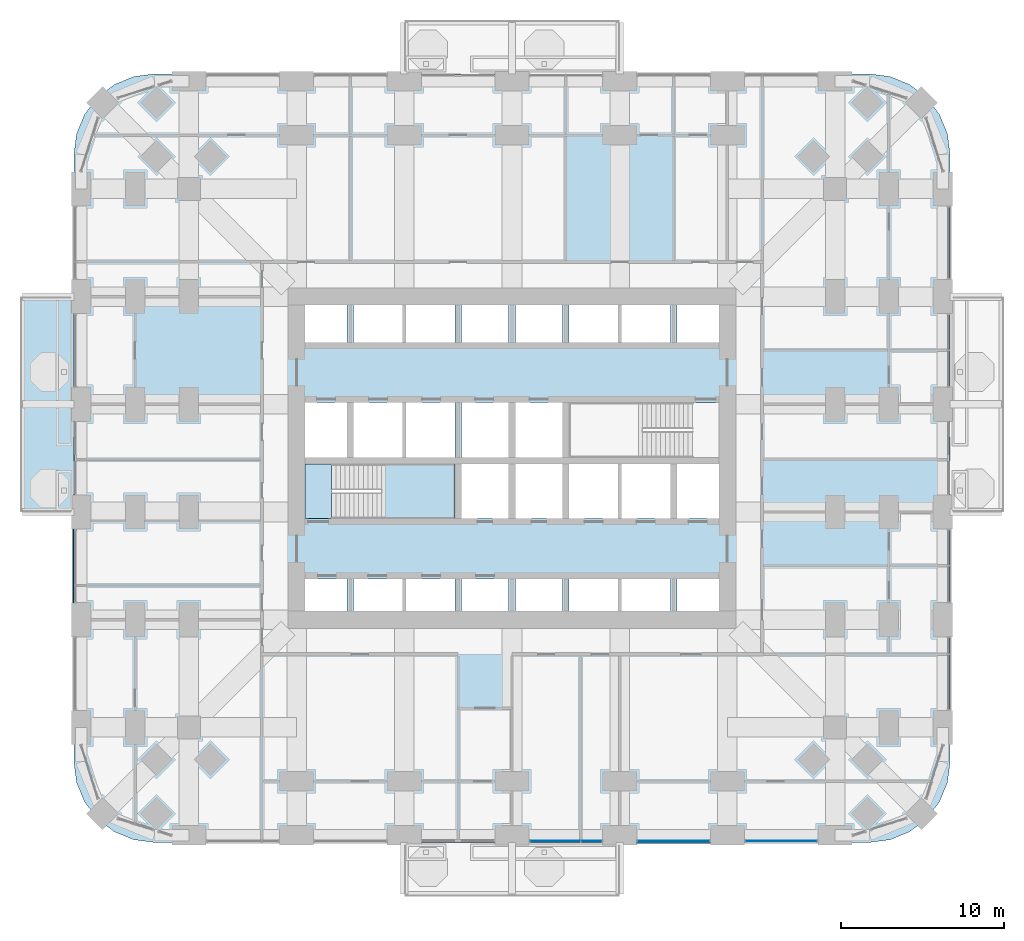
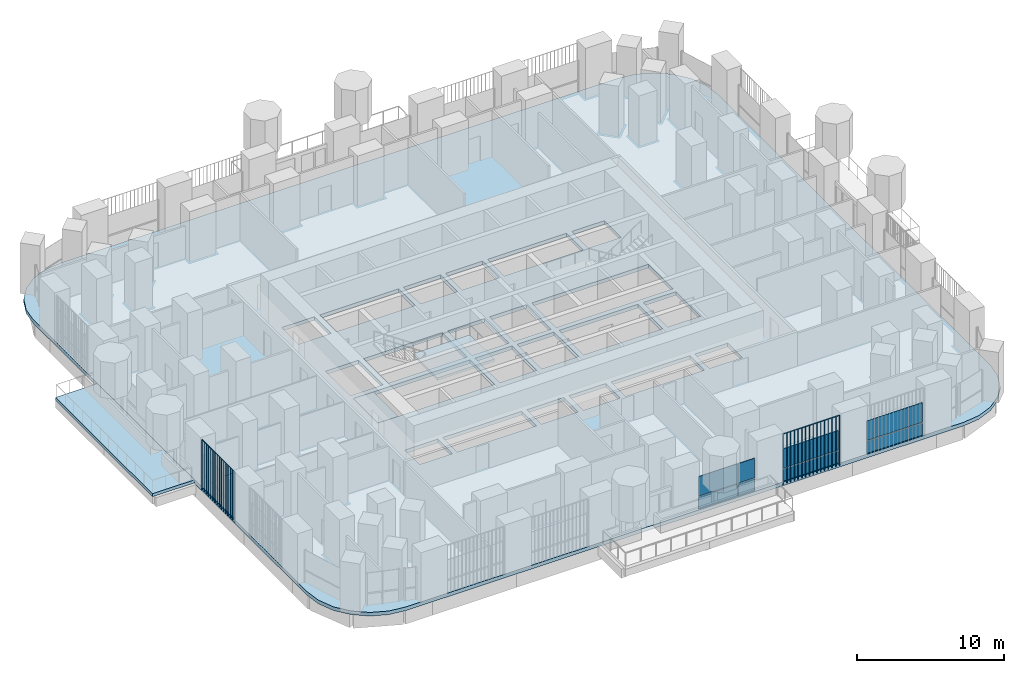
# One storey, part 12 of 26: 10 plates, 4 slabs, 4 elements without a shape of their own.
"""IFC4 building model written with IfcOpenShell, lengths in metres."""

from ifc_helpers import new_model, si_unit, direction, frame, origin, origin_2d, place, context, subcontext, project, spatial, polyline, rectangle, outline, extrude, material, layer, layer_set, type_object, element, aggregate, save


model = new_model("IFC4")

# Units and contexts
model_context = context("Model", 3, precision=1e-05, world=origin(), true_north=direction((0.0, 1.0)))
body_context = subcontext(model_context, "Body", "Model", "MODEL_VIEW")
ifc_project = project(units=[si_unit("LENGTHUNIT", "METRE"), si_unit("AREAUNIT", "SQUARE_METRE"), si_unit("VOLUMEUNIT", "CUBIC_METRE"), si_unit("PLANEANGLEUNIT", "RADIAN"), si_unit("MASSUNIT", "GRAM", prefix="KILO")], contexts=[model_context])

# Site, building, storey
site_placement = place(None, origin())
site = spatial("IfcSite", under=ifc_project, at=site_placement, CompositionType="ELEMENT")
building_placement = place(site_placement, origin())
building = spatial("IfcBuilding", under=site, at=building_placement, Name="Cobogo Forest Laboratory Tower", CompositionType="ELEMENT")
storey_placement = place(building_placement, frame((0.0, 0.0, 50.699951171875)))
storey = spatial("IfcBuildingStorey", under=building, at=storey_placement, Name="L11", CompositionType="ELEMENT", Elevation=50.699951171875)

# Slabs
ifc_material_1 = material(Name="Concrete HA-40 (C40/50)", Category="concrete")
ifc_layer_1 = layer(ifc_material_1, 0.25)
ifc_layer_set_1 = layer_set([ifc_layer_1], Name="Balcony slab 250")
slab_type_1 = type_object("IfcSlabType", Name="Balcony slab 250", PredefinedType="FLOOR", material=ifc_layer_set_1)
slab_1_placement = place(storey_placement, frame((0.0, 0.0, -0.25)))
element("IfcSlab", 1, at=slab_1_placement, inside=storey, type_object=slab_type_1, Name="Balcony BAL-W1 L11", PredefinedType="FLOOR", context=body_context, shape_type="SweptSolid", body=[
    extrude(outline(polyline([(-3.75, 19.800048828125), (-0.449951171875, 19.800048828125), (-0.449951171875, 33.0), (-3.75, 33.0), (-3.75, 19.800048828125)])), origin(), (0.0, 0.0, 1.0), 0.25),
])
ifc_layer_2 = layer(ifc_material_1, 0.300048828125)
ifc_layer_set_2 = layer_set([ifc_layer_2], Name="Floor slab 300")
slab_type_2 = type_object("IfcSlabType", Name="Floor slab 300", PredefinedType="FLOOR", material=ifc_layer_set_2)
slab_2_placement = place(storey_placement, frame((0.0, 0.0, -0.300048828125)))
element("IfcSlab", 2, at=slab_2_placement, inside=storey, type_object=slab_type_2, Name="L11 floor slab", PredefinedType="FLOOR", context=body_context, shape_type="SweptSolid", body=[
    extrude(outline(polyline([(48.300048828125, -0.449951171875), (49.5810546875, -0.28125), (50.77490234375, 0.213134765625), (51.80029296875, 0.999755859375), (52.5869140625, 2.02490234375), (53.081298828125, 3.21875), (53.25, 4.5), (53.25, 41.699951171875), (53.081298828125, 42.981201171875), (52.5869140625, 44.175048828125), (51.80029296875, 45.2001953125), (50.77490234375, 45.98681640625), (49.5810546875, 46.4814453125), (48.300048828125, 46.64990234375), (4.5, 46.64990234375), (3.21875, 46.4814453125), (2.02490234375, 45.98681640625), (0.999755859375, 45.2001953125), (0.213134765625, 44.175048828125), (-0.28125, 42.981201171875), (-0.449951171875, 41.699951171875), (-0.449951171875, 4.5), (-0.28125, 3.21875), (0.213134765625, 2.02490234375), (0.999755859375, 0.999755859375), (2.02490234375, 0.213134765625), (3.21875, -0.28125), (4.5, -0.449951171875), (48.300048828125, -0.449951171875)]), holes=[polyline([(16.300048828125, 13.72509765625), (13.72509765625, 13.72509765625), (13.72509765625, 15.699951171875), (16.300048828125, 15.699951171875), (16.300048828125, 13.72509765625)]), polyline([(22.89990234375, 15.699951171875), (22.89990234375, 13.72509765625), (16.699951171875, 13.72509765625), (16.699951171875, 15.699951171875), (22.89990234375, 15.699951171875)]), polyline([(23.300048828125, 13.72509765625), (23.300048828125, 15.699951171875), (26.199951171875, 15.699951171875), (26.199951171875, 13.72509765625), (23.300048828125, 13.72509765625)]), polyline([(29.5, 13.72509765625), (26.60009765625, 13.72509765625), (26.60009765625, 15.699951171875), (29.5, 15.699951171875), (29.5, 13.72509765625)]), polyline([(36.10009765625, 15.699951171875), (36.10009765625, 13.72509765625), (29.89990234375, 13.72509765625), (29.89990234375, 15.699951171875), (36.10009765625, 15.699951171875)]), polyline([(36.5, 13.72509765625), (36.5, 15.699951171875), (39.074951171875, 15.699951171875), (39.074951171875, 13.72509765625), (36.5, 13.72509765625)]), polyline([(13.72509765625, 19.39990234375), (13.72509765625, 22.75), (22.89990234375, 22.75), (22.89990234375, 19.39990234375), (13.72509765625, 19.39990234375)]), polyline([(23.300048828125, 19.39990234375), (23.300048828125, 22.75), (26.199951171875, 22.75), (26.199951171875, 19.39990234375), (23.300048828125, 19.39990234375)]), polyline([(26.60009765625, 19.39990234375), (26.60009765625, 22.75), (29.5, 22.75), (29.5, 19.39990234375), (26.60009765625, 19.39990234375)]), polyline([(36.10009765625, 22.75), (36.10009765625, 19.39990234375), (29.89990234375, 19.39990234375), (29.89990234375, 22.75), (36.10009765625, 22.75)]), polyline([(39.074951171875, 19.39990234375), (36.5, 19.39990234375), (36.5, 22.75), (39.074951171875, 22.75), (39.074951171875, 19.39990234375)]), polyline([(13.72509765625, 23.14990234375), (13.72509765625, 26.5), (16.300048828125, 26.5), (16.300048828125, 23.14990234375), (13.72509765625, 23.14990234375)]), polyline([(22.89990234375, 26.5), (22.89990234375, 23.14990234375), (16.699951171875, 23.14990234375), (16.699951171875, 26.5), (22.89990234375, 26.5)]), polyline([(23.300048828125, 23.14990234375), (23.300048828125, 26.5), (26.199951171875, 26.5), (26.199951171875, 23.14990234375), (23.300048828125, 23.14990234375)]), polyline([(26.60009765625, 23.14990234375), (26.60009765625, 26.5), (29.5, 26.5), (29.5, 23.14990234375), (26.60009765625, 23.14990234375)]), polyline([(29.89990234375, 23.14990234375), (29.89990234375, 26.5), (39.074951171875, 26.5), (39.074951171875, 23.14990234375), (29.89990234375, 23.14990234375)]), polyline([(13.72509765625, 30.199951171875), (13.72509765625, 32.47509765625), (16.300048828125, 32.47509765625), (16.300048828125, 30.199951171875), (13.72509765625, 30.199951171875)]), polyline([(22.89990234375, 32.47509765625), (22.89990234375, 30.199951171875), (16.699951171875, 30.199951171875), (16.699951171875, 32.47509765625), (22.89990234375, 32.47509765625)]), polyline([(23.300048828125, 30.199951171875), (23.300048828125, 32.47509765625), (26.199951171875, 32.47509765625), (26.199951171875, 30.199951171875), (23.300048828125, 30.199951171875)]), polyline([(26.60009765625, 30.199951171875), (26.60009765625, 32.47509765625), (29.5, 32.47509765625), (29.5, 30.199951171875), (26.60009765625, 30.199951171875)]), polyline([(36.10009765625, 32.47509765625), (36.10009765625, 30.199951171875), (29.89990234375, 30.199951171875), (29.89990234375, 32.47509765625), (36.10009765625, 32.47509765625)]), polyline([(36.5, 30.199951171875), (36.5, 32.47509765625), (39.074951171875, 32.47509765625), (39.074951171875, 30.199951171875), (36.5, 30.199951171875)])]), origin(), (0.0, 0.0, 1.0), 0.300048828125),
])

# Curtain wall, plates
ifc_material_2 = material(Name="Aluminium curtain wall", Category="aluminium")
curtain_wall_type = type_object("IfcCurtainWallType", Name="CW-1 unitised curtain wall, clear glazing, laboratory floors zones A and B", PredefinedType="USERDEFINED", material=ifc_material_2)
curtain_wall_1_placement = place(storey_placement, origin())
curtain_wall_1 = element("IfcCurtainWall", 3, at=curtain_wall_1_placement, inside=storey, type_object=curtain_wall_type, Name="Curtain wall 04 L11", ObjectType="UNITISED CURTAIN WALL", PredefinedType="USERDEFINED")
ifc_material_3 = material(Name="Clear insulated glass", Category="glass")
ifc_layer_3 = layer(ifc_material_3, 0.028076171875)
ifc_layer_set_3 = layer_set([ifc_layer_3], Name="GP-1 clear insulated glass unit 28")
plate_type_1 = type_object("IfcPlateType", Name="GP-1 clear insulated glass unit 28", PredefinedType="CURTAIN_PANEL", material=ifc_layer_set_3)
plate_1_placement = place(storey_placement, frame((29.0400390625, -0.35009765625, 0.0), z_axis=(0.0, 0.0, 1.0), x_axis=(1.0, 0.0, 0.0)))
plate_1 = element("IfcPlate", 4, at=plate_1_placement, type_object=plate_type_1, Name="CW-1 panel 1.1", PredefinedType="CURTAIN_PANEL", context=body_context, shape_type="SweptSolid", body=[
    extrude(rectangle(XDim=3.06005859375, YDim=0.028076171875, at=origin_2d()), origin(), (0.0, 0.0, 1.0), 1.02001953125),
])
plate_2_placement = place(storey_placement, frame((29.0400390625, -0.35009765625, 1.080078125), z_axis=(0.0, 0.0, 1.0), x_axis=(1.0, 0.0, 0.0)))
plate_2 = element("IfcPlate", 5, at=plate_2_placement, type_object=plate_type_1, Name="CW-1 panel 1.2", PredefinedType="CURTAIN_PANEL", context=body_context, shape_type="SweptSolid", body=[
    extrude(rectangle(XDim=3.06005859375, YDim=0.028076171875, at=origin_2d()), origin(), (0.0, 0.0, 1.0), 1.6201171875),
])
plate_3_placement = place(storey_placement, frame((31.260009765625, -0.35009765625, 0.0), z_axis=(0.0, 0.0, 1.0), x_axis=(1.0, 0.0, 0.0)))
plate_3 = element("IfcPlate", 6, at=plate_3_placement, type_object=plate_type_1, Name="CW-1 panel 2.1", PredefinedType="CURTAIN_PANEL", context=body_context, shape_type="SweptSolid", body=[
    extrude(rectangle(XDim=1.260009765625, YDim=0.028076171875, at=origin_2d()), origin(), (0.0, 0.0, 1.0), 1.02001953125),
])
plate_4_placement = place(storey_placement, frame((31.260009765625, -0.35009765625, 1.080078125), z_axis=(0.0, 0.0, 1.0), x_axis=(1.0, 0.0, 0.0)))
plate_4 = element("IfcPlate", 7, at=plate_4_placement, type_object=plate_type_1, Name="CW-1 panel 2.2", PredefinedType="CURTAIN_PANEL", context=body_context, shape_type="SweptSolid", body=[
    extrude(rectangle(XDim=1.260009765625, YDim=0.028076171875, at=origin_2d()), origin(), (0.0, 0.0, 1.0), 1.6201171875),
])
aggregate(curtain_wall_1, [plate_1, plate_2, plate_3, plate_4])

curtain_wall_2_placement = place(storey_placement, origin())
curtain_wall_2 = element("IfcCurtainWall", 8, at=curtain_wall_2_placement, inside=storey, type_object=curtain_wall_type, Name="Curtain wall 05 L11", ObjectType="UNITISED CURTAIN WALL", PredefinedType="USERDEFINED")
plate_5_placement = place(storey_placement, frame((36.300048828125, -0.35009765625, 0.0), z_axis=(0.0, 0.0, 1.0), x_axis=(1.0, 0.0, 0.0)))
plate_5 = element("IfcPlate", 9, at=plate_5_placement, type_object=plate_type_1, Name="CW-1 panel 1.1", PredefinedType="CURTAIN_PANEL", context=body_context, shape_type="SweptSolid", body=[
    extrude(rectangle(XDim=4.3798828125, YDim=0.028076171875, at=origin_2d()), origin(), (0.0, 0.0, 1.0), 1.02001953125),
])
plate_6_placement = place(storey_placement, frame((36.300048828125, -0.35009765625, 1.080078125), z_axis=(0.0, 0.0, 1.0), x_axis=(1.0, 0.0, 0.0)))
plate_6 = element("IfcPlate", 10, at=plate_6_placement, type_object=plate_type_1, Name="CW-1 panel 1.2", PredefinedType="CURTAIN_PANEL", context=body_context, shape_type="SweptSolid", body=[
    extrude(rectangle(XDim=4.3798828125, YDim=0.028076171875, at=origin_2d()), origin(), (0.0, 0.0, 1.0), 1.6201171875),
])
aggregate(curtain_wall_2, [plate_5, plate_6])

curtain_wall_3_placement = place(storey_placement, origin())
curtain_wall_3 = element("IfcCurtainWall", 11, at=curtain_wall_3_placement, inside=storey, type_object=curtain_wall_type, Name="Curtain wall 06 L11", ObjectType="UNITISED CURTAIN WALL", PredefinedType="USERDEFINED")
plate_7_placement = place(storey_placement, frame((42.89990234375, -0.35009765625, 0.0), z_axis=(0.0, 0.0, 1.0), x_axis=(1.0, 0.0, 0.0)))
plate_7 = element("IfcPlate", 12, at=plate_7_placement, type_object=plate_type_1, Name="CW-1 panel 1.1", PredefinedType="CURTAIN_PANEL", context=body_context, shape_type="SweptSolid", body=[
    extrude(rectangle(XDim=4.3798828125, YDim=0.028076171875, at=origin_2d()), origin(), (0.0, 0.0, 1.0), 1.02001953125),
])
plate_8_placement = place(storey_placement, frame((42.89990234375, -0.35009765625, 1.080078125), z_axis=(0.0, 0.0, 1.0), x_axis=(1.0, 0.0, 0.0)))
plate_8 = element("IfcPlate", 13, at=plate_8_placement, type_object=plate_type_1, Name="CW-1 panel 1.2", PredefinedType="CURTAIN_PANEL", context=body_context, shape_type="SweptSolid", body=[
    extrude(rectangle(XDim=4.3798828125, YDim=0.028076171875, at=origin_2d()), origin(), (0.0, 0.0, 1.0), 1.6201171875),
])
aggregate(curtain_wall_3, [plate_7, plate_8])

# Stair, slabs
ifc_material_4 = material(Name="Precast concrete HA-40 (C40/50)", Category="concrete")
stair_type = type_object("IfcStairType", Name="ST24 exit stair 24 risers", PredefinedType="HALF_TURN_STAIR", material=ifc_material_4)
stair_placement = place(storey_placement, origin())
stair = element("IfcStair", 14, at=stair_placement, inside=storey, type_object=stair_type, Name="Stair 1 L11 to L12", PredefinedType="HALF_TURN_STAIR")
ifc_layer_4 = layer(ifc_material_1, 0.199951171875)
ifc_layer_set_4 = layer_set([ifc_layer_4], Name="SL stair landing 200")
slab_type_3 = type_object("IfcSlabType", Name="SL stair landing 200", PredefinedType="LANDING", material=ifc_layer_set_4)
slab_3_placement = place(storey_placement, frame((0.0, 0.0, -0.199951171875)))
slab_3 = element("IfcSlab", 15, at=slab_3_placement, type_object=slab_type_3, Name="ST1 landing 1", PredefinedType="LANDING", context=body_context, shape_type="SweptSolid", body=[
    extrude(outline(polyline([(13.72509765625, 19.39990234375), (15.326904296875, 19.39990234375), (15.326904296875, 22.75), (13.72509765625, 22.75), (13.72509765625, 19.39990234375)])), origin(), (0.0, 0.0, 1.0), 0.199951171875),
])
slab_4_placement = place(storey_placement, frame((0.0, 0.0, 1.900146484375)))
slab_4 = element("IfcSlab", 16, at=slab_4_placement, type_object=slab_type_3, Name="ST1 landing 2", PredefinedType="LANDING", context=body_context, shape_type="SweptSolid", body=[
    extrude(outline(polyline([(18.403076171875, 19.39990234375), (22.89990234375, 19.39990234375), (22.89990234375, 22.75), (18.403076171875, 22.75), (18.403076171875, 19.39990234375)])), origin(), (0.0, 0.0, 1.0), 0.199951171875),
])
aggregate(stair, [slab_3, slab_4])

# Plates
ifc_material_5 = material(Name="Terracotta", Category="masonry")
plate_type_2 = type_object("IfcPlateType", Name="TB1 terracotta baguette screen", PredefinedType="USERDEFINED", material=ifc_material_5)
plate_9_placement = place(storey_placement, frame((34.081298828125, -0.477783203125, -0.14990234375)))
element("IfcPlate", 17, at=plate_9_placement, inside=storey, type_object=plate_type_2, Name="Baguette screen S5 L11", ObjectType="BAGUETTE SCREEN", PredefinedType="USERDEFINED", context=body_context, shape_type="SweptSolid", body=[
    extrude(outline(polyline([(0.02880859375, 0.011962890625), (0.011962890625, 0.02880859375), (-0.011962890625, 0.02880859375), (-0.02880859375, 0.011962890625), (-0.02880859375, -0.011962890625), (-0.011962890625, -0.02880859375), (0.011962890625, -0.02880859375), (0.02880859375, -0.011962890625), (0.02880859375, 0.011962890625)])), frame((0.0, 0.0, 4.168701171875), z_axis=(1.0, 0.0, 0.0), x_axis=(0.0, 1.0, 0.0)), (0.0, 0.0, 1.0), 4.4375),
    extrude(outline(polyline([(0.02880859375, 0.011962890625), (0.011962890625, 0.02880859375), (-0.011962890625, 0.02880859375), (-0.02880859375, 0.011962890625), (-0.02880859375, -0.011962890625), (-0.011962890625, -0.02880859375), (0.011962890625, -0.02880859375), (0.02880859375, -0.011962890625), (0.02880859375, 0.011962890625)])), origin(), (0.0, 0.0, 1.0), 4.137451171875),
    extrude(outline(polyline([(0.02880859375, 0.011962890625), (0.011962890625, 0.02880859375), (-0.011962890625, 0.02880859375), (-0.02880859375, 0.011962890625), (-0.02880859375, -0.011962890625), (-0.011962890625, -0.02880859375), (0.011962890625, -0.02880859375), (0.02880859375, -0.011962890625), (0.02880859375, 0.011962890625)])), frame((0.2958984375, 0.0, 0.0)), (0.0, 0.0, 1.0), 4.137451171875),
    extrude(outline(polyline([(0.02880859375, 0.011962890625), (0.011962890625, 0.02880859375), (-0.011962890625, 0.02880859375), (-0.02880859375, 0.011962890625), (-0.02880859375, -0.011962890625), (-0.011962890625, -0.02880859375), (0.011962890625, -0.02880859375), (0.02880859375, -0.011962890625), (0.02880859375, 0.011962890625)])), frame((0.591552734375, 0.0, 0.0)), (0.0, 0.0, 1.0), 4.137451171875),
    extrude(outline(polyline([(0.02880859375, 0.011962890625), (0.011962890625, 0.02880859375), (-0.011962890625, 0.02880859375), (-0.02880859375, 0.011962890625), (-0.02880859375, -0.011962890625), (-0.011962890625, -0.02880859375), (0.011962890625, -0.02880859375), (0.02880859375, -0.011962890625), (0.02880859375, 0.011962890625)])), frame((0.887451171875, 0.0, 0.0)), (0.0, 0.0, 1.0), 4.137451171875),
    extrude(outline(polyline([(0.02880859375, 0.011962890625), (0.011962890625, 0.02880859375), (-0.011962890625, 0.02880859375), (-0.02880859375, 0.011962890625), (-0.02880859375, -0.011962890625), (-0.011962890625, -0.02880859375), (0.011962890625, -0.02880859375), (0.02880859375, -0.011962890625), (0.02880859375, 0.011962890625)])), frame((1.183349609375, 0.0, 0.0)), (0.0, 0.0, 1.0), 4.137451171875),
    extrude(outline(polyline([(0.02880859375, 0.011962890625), (0.011962890625, 0.02880859375), (-0.011962890625, 0.02880859375), (-0.02880859375, 0.011962890625), (-0.02880859375, -0.011962890625), (-0.011962890625, -0.02880859375), (0.011962890625, -0.02880859375), (0.02880859375, -0.011962890625), (0.02880859375, 0.011962890625)])), frame((1.479248046875, 0.0, 0.0)), (0.0, 0.0, 1.0), 4.137451171875),
    extrude(outline(polyline([(0.02880859375, 0.011962890625), (0.011962890625, 0.02880859375), (-0.011962890625, 0.02880859375), (-0.02880859375, 0.011962890625), (-0.02880859375, -0.011962890625), (-0.011962890625, -0.02880859375), (0.011962890625, -0.02880859375), (0.02880859375, -0.011962890625), (0.02880859375, 0.011962890625)])), frame((1.77490234375, 0.0, 0.0)), (0.0, 0.0, 1.0), 4.137451171875),
    extrude(outline(polyline([(0.02880859375, 0.011962890625), (0.011962890625, 0.02880859375), (-0.011962890625, 0.02880859375), (-0.02880859375, 0.011962890625), (-0.02880859375, -0.011962890625), (-0.011962890625, -0.02880859375), (0.011962890625, -0.02880859375), (0.02880859375, -0.011962890625), (0.02880859375, 0.011962890625)])), frame((2.07080078125, 0.0, 0.0)), (0.0, 0.0, 1.0), 4.137451171875),
    extrude(outline(polyline([(0.02880859375, 0.011962890625), (0.011962890625, 0.02880859375), (-0.011962890625, 0.02880859375), (-0.02880859375, 0.011962890625), (-0.02880859375, -0.011962890625), (-0.011962890625, -0.02880859375), (0.011962890625, -0.02880859375), (0.02880859375, -0.011962890625), (0.02880859375, 0.011962890625)])), frame((2.36669921875, 0.0, 0.0)), (0.0, 0.0, 1.0), 4.137451171875),
    extrude(outline(polyline([(0.02880859375, 0.011962890625), (0.011962890625, 0.02880859375), (-0.011962890625, 0.02880859375), (-0.02880859375, 0.011962890625), (-0.02880859375, -0.011962890625), (-0.011962890625, -0.02880859375), (0.011962890625, -0.02880859375), (0.02880859375, -0.011962890625), (0.02880859375, 0.011962890625)])), frame((2.66259765625, 0.0, 0.0)), (0.0, 0.0, 1.0), 4.137451171875),
    extrude(outline(polyline([(0.02880859375, 0.011962890625), (0.011962890625, 0.02880859375), (-0.011962890625, 0.02880859375), (-0.02880859375, 0.011962890625), (-0.02880859375, -0.011962890625), (-0.011962890625, -0.02880859375), (0.011962890625, -0.02880859375), (0.02880859375, -0.011962890625), (0.02880859375, 0.011962890625)])), frame((2.958251953125, 0.0, 0.0)), (0.0, 0.0, 1.0), 4.137451171875),
    extrude(outline(polyline([(0.02880859375, 0.011962890625), (0.011962890625, 0.02880859375), (-0.011962890625, 0.02880859375), (-0.02880859375, 0.011962890625), (-0.02880859375, -0.011962890625), (-0.011962890625, -0.02880859375), (0.011962890625, -0.02880859375), (0.02880859375, -0.011962890625), (0.02880859375, 0.011962890625)])), frame((3.254150390625, 0.0, 0.0)), (0.0, 0.0, 1.0), 4.137451171875),
    extrude(outline(polyline([(0.02880859375, 0.011962890625), (0.011962890625, 0.02880859375), (-0.011962890625, 0.02880859375), (-0.02880859375, 0.011962890625), (-0.02880859375, -0.011962890625), (-0.011962890625, -0.02880859375), (0.011962890625, -0.02880859375), (0.02880859375, -0.011962890625), (0.02880859375, 0.011962890625)])), frame((3.550048828125, 0.0, 0.0)), (0.0, 0.0, 1.0), 4.137451171875),
    extrude(outline(polyline([(0.02880859375, 0.011962890625), (0.011962890625, 0.02880859375), (-0.011962890625, 0.02880859375), (-0.02880859375, 0.011962890625), (-0.02880859375, -0.011962890625), (-0.011962890625, -0.02880859375), (0.011962890625, -0.02880859375), (0.02880859375, -0.011962890625), (0.02880859375, 0.011962890625)])), frame((3.845947265625, 0.0, 0.0)), (0.0, 0.0, 1.0), 4.137451171875),
    extrude(outline(polyline([(0.02880859375, 0.011962890625), (0.011962890625, 0.02880859375), (-0.011962890625, 0.02880859375), (-0.02880859375, 0.011962890625), (-0.02880859375, -0.011962890625), (-0.011962890625, -0.02880859375), (0.011962890625, -0.02880859375), (0.02880859375, -0.011962890625), (0.02880859375, 0.011962890625)])), frame((4.1416015625, 0.0, 0.0)), (0.0, 0.0, 1.0), 4.137451171875),
    extrude(outline(polyline([(0.02880859375, 0.011962890625), (0.011962890625, 0.02880859375), (-0.011962890625, 0.02880859375), (-0.02880859375, 0.011962890625), (-0.02880859375, -0.011962890625), (-0.011962890625, -0.02880859375), (0.011962890625, -0.02880859375), (0.02880859375, -0.011962890625), (0.02880859375, 0.011962890625)])), frame((4.4375, 0.0, 0.0)), (0.0, 0.0, 1.0), 4.137451171875),
])
plate_10_placement = place(storey_placement, frame((-0.477783203125, 14.28125, -0.14990234375)))
element("IfcPlate", 18, at=plate_10_placement, inside=storey, type_object=plate_type_2, Name="Baguette screen W2 L11", ObjectType="BAGUETTE SCREEN", PredefinedType="USERDEFINED", context=body_context, shape_type="SweptSolid", body=[
    extrude(outline(polyline([(0.02880859375, 0.011962890625), (0.011962890625, 0.02880859375), (-0.011962890625, 0.02880859375), (-0.02880859375, 0.011962890625), (-0.02880859375, -0.011962890625), (-0.011962890625, -0.02880859375), (0.011962890625, -0.02880859375), (0.02880859375, -0.011962890625), (0.02880859375, 0.011962890625)])), frame((0.0, 0.0, 4.168701171875), z_axis=(0.0, 1.0, 0.0), x_axis=(-1.0, 0.0, 0.0)), (0.0, 0.0, 1.0), 4.4375),
    extrude(outline(polyline([(0.02880859375, 0.011962890625), (0.011962890625, 0.02880859375), (-0.011962890625, 0.02880859375), (-0.02880859375, 0.011962890625), (-0.02880859375, -0.011962890625), (-0.011962890625, -0.02880859375), (0.011962890625, -0.02880859375), (0.02880859375, -0.011962890625), (0.02880859375, 0.011962890625)])), origin(), (0.0, 0.0, 1.0), 4.137451171875),
    extrude(outline(polyline([(0.02880859375, 0.011962890625), (0.011962890625, 0.02880859375), (-0.011962890625, 0.02880859375), (-0.02880859375, 0.011962890625), (-0.02880859375, -0.011962890625), (-0.011962890625, -0.02880859375), (0.011962890625, -0.02880859375), (0.02880859375, -0.011962890625), (0.02880859375, 0.011962890625)])), frame((0.0, 0.2958984375, 0.0)), (0.0, 0.0, 1.0), 4.137451171875),
    extrude(outline(polyline([(0.02880859375, 0.011962890625), (0.011962890625, 0.02880859375), (-0.011962890625, 0.02880859375), (-0.02880859375, 0.011962890625), (-0.02880859375, -0.011962890625), (-0.011962890625, -0.02880859375), (0.011962890625, -0.02880859375), (0.02880859375, -0.011962890625), (0.02880859375, 0.011962890625)])), frame((0.0, 0.591552734375, 0.0)), (0.0, 0.0, 1.0), 4.137451171875),
    extrude(outline(polyline([(0.02880859375, 0.011962890625), (0.011962890625, 0.02880859375), (-0.011962890625, 0.02880859375), (-0.02880859375, 0.011962890625), (-0.02880859375, -0.011962890625), (-0.011962890625, -0.02880859375), (0.011962890625, -0.02880859375), (0.02880859375, -0.011962890625), (0.02880859375, 0.011962890625)])), frame((0.0, 0.887451171875, 0.0)), (0.0, 0.0, 1.0), 4.137451171875),
    extrude(outline(polyline([(0.02880859375, 0.011962890625), (0.011962890625, 0.02880859375), (-0.011962890625, 0.02880859375), (-0.02880859375, 0.011962890625), (-0.02880859375, -0.011962890625), (-0.011962890625, -0.02880859375), (0.011962890625, -0.02880859375), (0.02880859375, -0.011962890625), (0.02880859375, 0.011962890625)])), frame((0.0, 1.183349609375, 0.0)), (0.0, 0.0, 1.0), 4.137451171875),
    extrude(outline(polyline([(0.02880859375, 0.011962890625), (0.011962890625, 0.02880859375), (-0.011962890625, 0.02880859375), (-0.02880859375, 0.011962890625), (-0.02880859375, -0.011962890625), (-0.011962890625, -0.02880859375), (0.011962890625, -0.02880859375), (0.02880859375, -0.011962890625), (0.02880859375, 0.011962890625)])), frame((0.0, 1.479248046875, 0.0)), (0.0, 0.0, 1.0), 4.137451171875),
    extrude(outline(polyline([(0.02880859375, 0.011962890625), (0.011962890625, 0.02880859375), (-0.011962890625, 0.02880859375), (-0.02880859375, 0.011962890625), (-0.02880859375, -0.011962890625), (-0.011962890625, -0.02880859375), (0.011962890625, -0.02880859375), (0.02880859375, -0.011962890625), (0.02880859375, 0.011962890625)])), frame((0.0, 1.77490234375, 0.0)), (0.0, 0.0, 1.0), 4.137451171875),
    extrude(outline(polyline([(0.02880859375, 0.011962890625), (0.011962890625, 0.02880859375), (-0.011962890625, 0.02880859375), (-0.02880859375, 0.011962890625), (-0.02880859375, -0.011962890625), (-0.011962890625, -0.02880859375), (0.011962890625, -0.02880859375), (0.02880859375, -0.011962890625), (0.02880859375, 0.011962890625)])), frame((0.0, 2.07080078125, 0.0)), (0.0, 0.0, 1.0), 4.137451171875),
    extrude(outline(polyline([(0.02880859375, 0.011962890625), (0.011962890625, 0.02880859375), (-0.011962890625, 0.02880859375), (-0.02880859375, 0.011962890625), (-0.02880859375, -0.011962890625), (-0.011962890625, -0.02880859375), (0.011962890625, -0.02880859375), (0.02880859375, -0.011962890625), (0.02880859375, 0.011962890625)])), frame((0.0, 2.36669921875, 0.0)), (0.0, 0.0, 1.0), 4.137451171875),
    extrude(outline(polyline([(0.02880859375, 0.011962890625), (0.011962890625, 0.02880859375), (-0.011962890625, 0.02880859375), (-0.02880859375, 0.011962890625), (-0.02880859375, -0.011962890625), (-0.011962890625, -0.02880859375), (0.011962890625, -0.02880859375), (0.02880859375, -0.011962890625), (0.02880859375, 0.011962890625)])), frame((0.0, 2.66259765625, 0.0)), (0.0, 0.0, 1.0), 4.137451171875),
    extrude(outline(polyline([(0.02880859375, 0.011962890625), (0.011962890625, 0.02880859375), (-0.011962890625, 0.02880859375), (-0.02880859375, 0.011962890625), (-0.02880859375, -0.011962890625), (-0.011962890625, -0.02880859375), (0.011962890625, -0.02880859375), (0.02880859375, -0.011962890625), (0.02880859375, 0.011962890625)])), frame((0.0, 2.958251953125, 0.0)), (0.0, 0.0, 1.0), 4.137451171875),
    extrude(outline(polyline([(0.02880859375, 0.011962890625), (0.011962890625, 0.02880859375), (-0.011962890625, 0.02880859375), (-0.02880859375, 0.011962890625), (-0.02880859375, -0.011962890625), (-0.011962890625, -0.02880859375), (0.011962890625, -0.02880859375), (0.02880859375, -0.011962890625), (0.02880859375, 0.011962890625)])), frame((0.0, 3.254150390625, 0.0)), (0.0, 0.0, 1.0), 4.137451171875),
    extrude(outline(polyline([(0.02880859375, 0.011962890625), (0.011962890625, 0.02880859375), (-0.011962890625, 0.02880859375), (-0.02880859375, 0.011962890625), (-0.02880859375, -0.011962890625), (-0.011962890625, -0.02880859375), (0.011962890625, -0.02880859375), (0.02880859375, -0.011962890625), (0.02880859375, 0.011962890625)])), frame((0.0, 3.550048828125, 0.0)), (0.0, 0.0, 1.0), 4.137451171875),
    extrude(outline(polyline([(0.02880859375, 0.011962890625), (0.011962890625, 0.02880859375), (-0.011962890625, 0.02880859375), (-0.02880859375, 0.011962890625), (-0.02880859375, -0.011962890625), (-0.011962890625, -0.02880859375), (0.011962890625, -0.02880859375), (0.02880859375, -0.011962890625), (0.02880859375, 0.011962890625)])), frame((0.0, 3.845947265625, 0.0)), (0.0, 0.0, 1.0), 4.137451171875),
    extrude(outline(polyline([(0.02880859375, 0.011962890625), (0.011962890625, 0.02880859375), (-0.011962890625, 0.02880859375), (-0.02880859375, 0.011962890625), (-0.02880859375, -0.011962890625), (-0.011962890625, -0.02880859375), (0.011962890625, -0.02880859375), (0.02880859375, -0.011962890625), (0.02880859375, 0.011962890625)])), frame((0.0, 4.1416015625, 0.0)), (0.0, 0.0, 1.0), 4.137451171875),
    extrude(outline(polyline([(0.02880859375, 0.011962890625), (0.011962890625, 0.02880859375), (-0.011962890625, 0.02880859375), (-0.02880859375, 0.011962890625), (-0.02880859375, -0.011962890625), (-0.011962890625, -0.02880859375), (0.011962890625, -0.02880859375), (0.02880859375, -0.011962890625), (0.02880859375, 0.011962890625)])), frame((0.0, 4.4375, 0.0)), (0.0, 0.0, 1.0), 4.137451171875),
])

save(model, "model.ifc")
